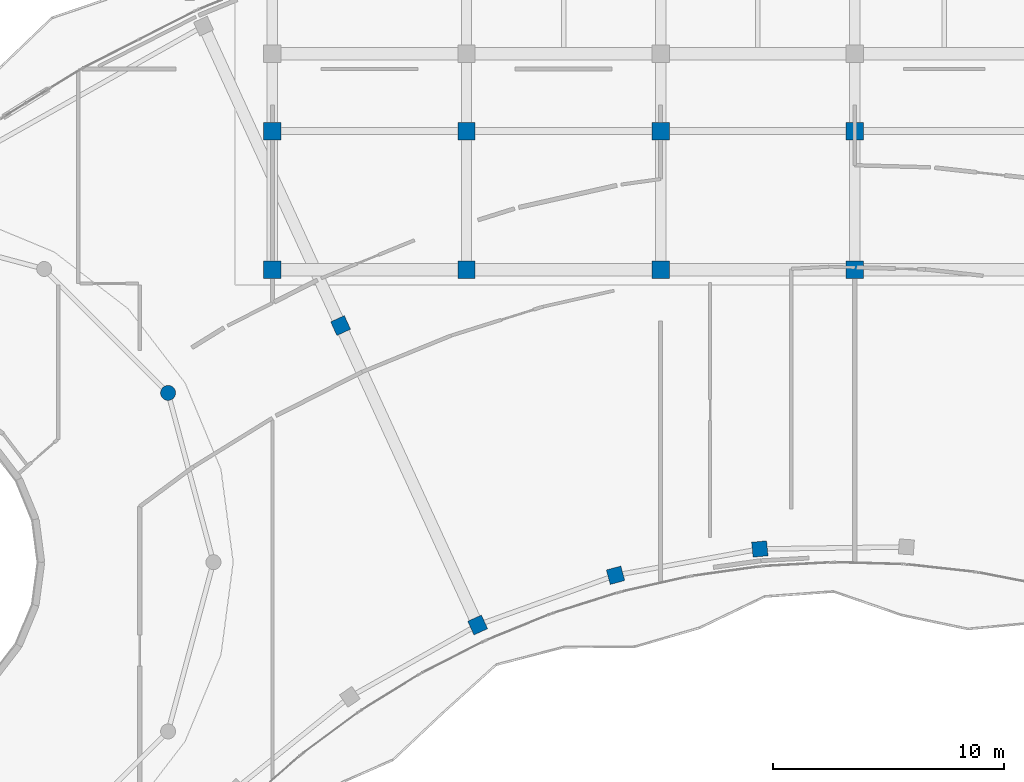
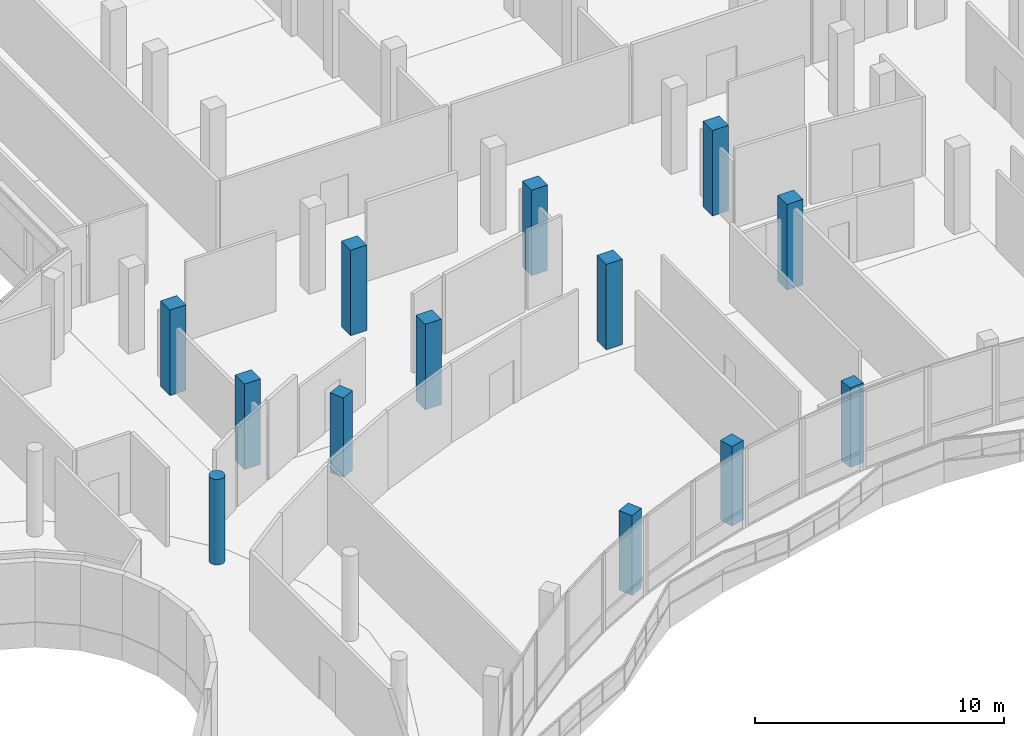
# One storey, part 6 of 184: 13 columns.
"""IFC4 building model written with IfcOpenShell, lengths in metres."""

import ifcopenshell
import ifcopenshell.guid

model = None  # the IFC model being written
_history = None  # IfcOwnerHistory: only IFC2X3 demands one
_inside = {}  # id of a spatial element -> (the spatial element, [elements in it])
_under = {}  # id of a project, library or spatial element -> (it, [spatial elements below it])
_declared = {}  # id of a project -> (the project, [libraries it declares])
_typed = {}  # id of a type object -> (the type object, [elements of that type])
_made_of = {}  # id of a material, layer set ... -> (it, [elements and type objects made of it])


def new_model(schema):
    """Start an empty IFC model of exactly this schema.

    Asked for "IFC4X3", IfcOpenShell would pick the latest addendum, in which some entities
    have other attributes; the version numbers below select the first issue.
    IFC2X3 requires an IfcOwnerHistory on every rooted entity: one is made here for all.
    """
    global model, _history
    if schema == "IFC4X3":
        model = ifcopenshell.file(schema_version=(4, 3, 0, 0))
    else:
        model = ifcopenshell.file(schema=schema)
    _inside.clear()
    _under.clear()
    _declared.clear()
    _typed.clear()
    _made_of.clear()
    _history = None
    if model.schema == "IFC2X3":
        org = make("IfcOrganization", Name="unknown")
        user = make(
            "IfcPersonAndOrganization",
            ThePerson=make("IfcPerson", FamilyName="unknown"),
            TheOrganization=org,
        )
        app = make(
            "IfcApplication",
            ApplicationDeveloper=org,
            Version="unknown",
            ApplicationFullName="unknown",
            ApplicationIdentifier="unknown",
        )
        _history = make(
            "IfcOwnerHistory",
            OwningUser=user,
            OwningApplication=app,
            ChangeAction="ADDED",
            CreationDate=0,
        )
    return model


def make(cls, **values):
    """One entity of the class cls with the attributes given. An attribute that is None is left unset."""
    return model.create_entity(
        cls, **{name: value for name, value in values.items() if value is not None}
    )


def rooted(cls, **values):
    """An entity with a GlobalId (a new one), such as an element, a storey or a relation."""
    return make(cls, GlobalId=ifcopenshell.guid.new(), OwnerHistory=_history, **values)


def si_unit(unit_type, name, prefix=None):
    """IfcSIUnit, for example si_unit("LENGTHUNIT", "METRE", prefix="MILLI")."""
    return make("IfcSIUnit", UnitType=unit_type, Prefix=prefix, Name=name)


def assignment(units):
    """IfcUnitAssignment: the units of a project."""
    return None if units is None else make("IfcUnitAssignment", Units=units)


def point(xyz):
    """IfcCartesianPoint."""
    return None if xyz is None else make("IfcCartesianPoint", Coordinates=xyz)


def direction(xyz):
    """IfcDirection."""
    return None if xyz is None else make("IfcDirection", DirectionRatios=xyz)


def frame(location, z_axis=None, x_axis=None):
    """IfcAxis2Placement3D, a coordinate frame: its origin and axes. An axis left out is left unset."""
    return make(
        "IfcAxis2Placement3D",
        Location=point(location),
        Axis=direction(z_axis),
        RefDirection=direction(x_axis),
    )


def frame_2d(location, x_axis=None):
    """IfcAxis2Placement2D, a coordinate frame in the plane: its origin and x axis."""
    return make(
        "IfcAxis2Placement2D", Location=point(location), RefDirection=direction(x_axis)
    )


def origin():
    """The frame at (0, 0, 0) with its axes left unset."""
    return frame((0.0, 0.0, 0.0))


def origin_2d():
    """The frame at (0, 0) in the plane with its x axis left unset."""
    return frame_2d((0.0, 0.0))


def place(relative_to, where):
    """IfcLocalPlacement: puts the frame where relative to a parent placement (None: the world)."""
    return make(
        "IfcLocalPlacement", PlacementRelTo=relative_to, RelativePlacement=where
    )


def context(
    kind, dimensions, precision=None, world=None, true_north=None, identifier=None
):
    """IfcGeometricRepresentationContext, for example the 3D "Model" context."""
    return make(
        "IfcGeometricRepresentationContext",
        ContextIdentifier=identifier,
        ContextType=kind,
        CoordinateSpaceDimension=dimensions,
        Precision=precision,
        WorldCoordinateSystem=world,
        TrueNorth=true_north,
    )


def subcontext(parent, identifier, kind, view, scale=None):
    """IfcGeometricRepresentationSubContext, for example "Body" below "Model"."""
    return make(
        "IfcGeometricRepresentationSubContext",
        ContextIdentifier=identifier,
        ContextType=kind,
        ParentContext=parent,
        TargetScale=scale,
        TargetView=view,
    )


def project(units=None, contexts=None):
    """IfcProject with its units and contexts."""
    return rooted(
        "IfcProject",
        Name="project",
        RepresentationContexts=contexts,
        UnitsInContext=assignment(units),
    )


def spatial(cls, under=None, at=None, **own):
    """A site, building, storey or space (cls), placed at a placement, below another one or the project."""
    s = rooted(cls, ObjectPlacement=at, **own)
    if under is not None:
        _under.setdefault(under.id(), (under, []))[1].append(s)
    return s


def profile(cls, at=None, kind="AREA", **sizes):
    """A parametric profile (cls). Its sizes go by their IFC names, for example OverallWidth=200.0."""
    return make(cls, ProfileType=kind, Position=at, **sizes)


def rectangle(**sizes):
    """IfcRectangleProfileDef."""
    return profile("IfcRectangleProfileDef", **sizes)


def circle(**sizes):
    """IfcCircleProfileDef."""
    return profile("IfcCircleProfileDef", **sizes)


def extrude(swept, where, along, depth):
    """IfcExtrudedAreaSolid: the profile swept, set in the frame where, extruded along a direction by depth."""
    return make(
        "IfcExtrudedAreaSolid",
        SweptArea=swept,
        Position=where,
        ExtrudedDirection=direction(along),
        Depth=depth,
    )


def shape(context_of_items, identifier, shape_type, items):
    """IfcShapeRepresentation: the items that make up one representation, for example the "Body"."""
    return make(
        "IfcShapeRepresentation",
        ContextOfItems=context_of_items,
        RepresentationIdentifier=identifier,
        RepresentationType=shape_type,
        Items=items,
    )


def material(Name=None, Category=None):
    """IfcMaterial."""
    return make("IfcMaterial", Name=Name, Category=Category)


def material_profile(
    of_material, cross_section, Name=None, Category=None, Priority=None
):
    """IfcMaterialProfile: a cross section and its material."""
    return make(
        "IfcMaterialProfile",
        Name=Name,
        Material=of_material,
        Profile=cross_section,
        Priority=Priority,
        Category=Category,
    )


def profile_set(profiles, Name=None, composite=None):
    """IfcMaterialProfileSet."""
    return make(
        "IfcMaterialProfileSet",
        Name=Name,
        MaterialProfiles=profiles,
        CompositeProfile=composite,
    )


def made_of(thing, what):
    """Note that an element or type object is made of a material, layer set ...; save() writes the relation."""
    if what is not None:
        _made_of.setdefault(what.id(), (what, []))[1].append(thing)
    return thing


def type_object(cls, material=None, **own):
    """A type object (cls), such as IfcWallType, which elements share."""
    return made_of(rooted(cls, **own), material)


def element(
    cls,
    number,
    at=None,
    inside=None,
    cuts=None,
    type_object=None,
    material=None,
    context=None,
    identifier="Body",
    shape_type=None,
    held_by="IfcProductDefinitionShape",
    body=None,
    shapes=None,
    **own,
):
    """One element of the class cls, such as IfcWall. Its Tag is "e" and its number.

    at: its placement. inside: the storey or other place that contains it. cuts: it is an
    opening in that element (IfcRelVoidsElement). A single representation is given by context,
    identifier, shape_type and body (its items); several are given by shapes. held_by: the class
    of the entity that holds the representations. save() writes the other relations.
    """
    e = rooted(cls, Tag="e%d" % number, ObjectPlacement=at, **own)
    if body is not None:
        shapes = [shape(context, identifier, shape_type, body)]
    if shapes is not None:
        e.Representation = make(held_by, Representations=shapes)
    if inside is not None:
        _inside.setdefault(inside.id(), (inside, []))[1].append(e)
    if cuts is not None:
        rooted(
            "IfcRelVoidsElement", RelatingBuildingElement=cuts, RelatedOpeningElement=e
        )
    if type_object is not None:
        _typed.setdefault(type_object.id(), (type_object, []))[1].append(e)
    return made_of(e, material)


def aggregate(whole, parts):
    """IfcRelAggregates: a whole, such as a stair, and the parts it consists of."""
    return rooted("IfcRelAggregates", RelatingObject=whole, RelatedObjects=parts)


def save(model, path):
    """Write the relations noted so far, then the file.

    IfcRelAggregates (storeys below a building ...), IfcRelContainedInSpatialStructure (elements
    in a storey), IfcRelDefinesByType, IfcRelAssociatesMaterial and IfcRelDeclares: one each for
    every whole, place, type object, material and project.
    """
    for whole, parts in _under.values():
        aggregate(whole, parts)
    for where, things in _inside.values():
        rooted(
            "IfcRelContainedInSpatialStructure",
            RelatedElements=things,
            RelatingStructure=where,
        )
    for kind, things in _typed.values():
        rooted("IfcRelDefinesByType", RelatedObjects=things, RelatingType=kind)
    for what, things in _made_of.values():
        rooted("IfcRelAssociatesMaterial", RelatedObjects=things, RelatingMaterial=what)
    for by, libraries in _declared.values():
        rooted("IfcRelDeclares", RelatingContext=by, RelatedDefinitions=libraries)
    model.write(path)


model = new_model("IFC4")

# Units and contexts
model_context = context("Model", 3, precision=1e-05, world=origin(), true_north=direction((0.0, 1.0)))
body_context = subcontext(model_context, "Body", "Model", "MODEL_VIEW")
ifc_project = project(units=[si_unit("LENGTHUNIT", "METRE"), si_unit("AREAUNIT", "SQUARE_METRE"), si_unit("VOLUMEUNIT", "CUBIC_METRE"), si_unit("PLANEANGLEUNIT", "RADIAN"), si_unit("MASSUNIT", "GRAM", prefix="KILO")], contexts=[model_context])

# Site, building, storey
site_placement = place(None, origin())
site = spatial("IfcSite", under=ifc_project, at=site_placement, CompositionType="ELEMENT")
building_placement = place(site_placement, origin())
building = spatial("IfcBuilding", under=site, at=building_placement, Name="Selatvlak General Hospital", CompositionType="ELEMENT")
storey_placement = place(building_placement, frame((0.0, 0.0, 15.0)))
storey = spatial("IfcBuildingStorey", under=building, at=storey_placement, Name="L03", CompositionType="ELEMENT", Elevation=15.0)

# Columns
ifc_material_1 = material(Name="Concrete C40/50", Category="concrete")
ifc_material_profile_1 = material_profile(ifc_material_1, rectangle(XDim=0.64990234375, YDim=0.64990234375, at=origin_2d()), Name="RC-COL 650x650")
ifc_profile_set_1 = profile_set([ifc_material_profile_1], Name="Concrete C40/50")
column_type_1 = type_object("IfcColumnType", Name="COL-RC65", PredefinedType="COLUMN", material=ifc_profile_set_1)
for number, where, z_axis, x_axis, name in (
    (1, (118.153076171875, 64.238037109375, 0.0), (0.0, 0.0, 1.0), (-0.416201444857, 0.909272432937, 0.0), "Column 343 on L03"),
    (2, (124.083984375, 51.281005859375, 0.0), (0.0, 0.0, 1.0), (-0.416201444857, 0.909272432937, 0.0), "Column 344 on L03"),
    (3, (130.049072265625, 53.43310546875, 0.0), (0.0, 0.0, 1.0), (-0.260066364254, 0.965590744666, 0.0), "Column 345 on L03"),
    (4, (136.2919921875, 54.570068359375, 0.0), (0.0, 0.0, 1.0), (-0.097061786558, 0.995278357843, 0.0), "Column 346 on L03"),
):
    element("IfcColumn", number, at=place(storey_placement, frame(where, z_axis=z_axis, x_axis=x_axis)), inside=storey, type_object=column_type_1, Name=name, PredefinedType="COLUMN", context=body_context, shape_type="SweptSolid", body=[
        extrude(rectangle(XDim=0.64990234375, YDim=0.64990234375, at=origin_2d()), origin(), (0.0, 0.0, 1.0), 3.909912109375),
    ])
ifc_material_2 = material(Name="Concrete C50/60", Category="concrete")
ifc_material_profile_2 = material_profile(ifc_material_2, rectangle(XDim=0.75, YDim=0.75, at=origin_2d()), Name="RC-COL 750x750")
ifc_profile_set_2 = profile_set([ifc_material_profile_2], Name="Concrete C50/60")
column_type_2 = type_object("IfcColumnType", Name="COL-RC75", PredefinedType="COLUMN", material=ifc_profile_set_2)
for number, where, z_axis, x_axis, name in (
    (5, (115.199951171875, 66.64990234375, 0.0), (0.0, 0.0, 1.0), (1.0, 0.0, 0.0), "Column 229 on L03"),
    (6, (115.199951171875, 72.64990234375, 0.0), (0.0, 0.0, 1.0), (1.0, 0.0, 0.0), "Column 230 on L03"),
    (7, (123.60009765625, 66.64990234375, 0.0), (0.0, 0.0, 1.0), (1.0, 0.0, 0.0), "Column 236 on L03"),
    (8, (123.60009765625, 72.64990234375, 0.0), (0.0, 0.0, 1.0), (1.0, 0.0, 0.0), "Column 237 on L03"),
    (9, (132.0, 66.64990234375, 0.0), (0.0, 0.0, 1.0), (1.0, 0.0, 0.0), "Column 246 on L03"),
    (10, (132.0, 72.64990234375, 0.0), (0.0, 0.0, 1.0), (1.0, 0.0, 0.0), "Column 247 on L03"),
    (11, (140.39990234375, 66.64990234375, 0.0), (0.0, 0.0, 1.0), (1.0, 0.0, 0.0), "Column 255 on L03"),
    (12, (140.39990234375, 72.64990234375, 0.0), (0.0, 0.0, 1.0), (1.0, 0.0, 0.0), "Column 256 on L03"),
):
    element("IfcColumn", number, at=place(storey_placement, frame(where, z_axis=z_axis, x_axis=x_axis)), inside=storey, type_object=column_type_2, Name=name, PredefinedType="COLUMN", context=body_context, shape_type="SweptSolid", body=[
        extrude(rectangle(XDim=0.75, YDim=0.75, at=origin_2d()), origin(), (0.0, 0.0, 1.0), 4.199951171875),
    ])
ifc_material_profile_3 = material_profile(ifc_material_1, circle(Radius=0.324951171875, at=origin_2d()), Name="RC-COL D650")
ifc_profile_set_3 = profile_set([ifc_material_profile_3], Name="Concrete C40/50")
column_type_3 = type_object("IfcColumnType", Name="COL-RCD65", PredefinedType="COLUMN", material=ifc_profile_set_3)
column_placement = place(storey_placement, frame((110.68701171875, 61.324951171875, 0.0), z_axis=(0.0, 0.0, 1.0), x_axis=(0.866025403784, 0.5, 0.0)))
element("IfcColumn", 13, at=column_placement, inside=storey, type_object=column_type_3, Name="Column 026 on L03", PredefinedType="COLUMN", context=body_context, shape_type="SweptSolid", body=[
    extrude(circle(Radius=0.324951171875, at=origin_2d()), origin(), (0.0, 0.0, 1.0), 4.199951171875),
])

save(model, "model.ifc")
